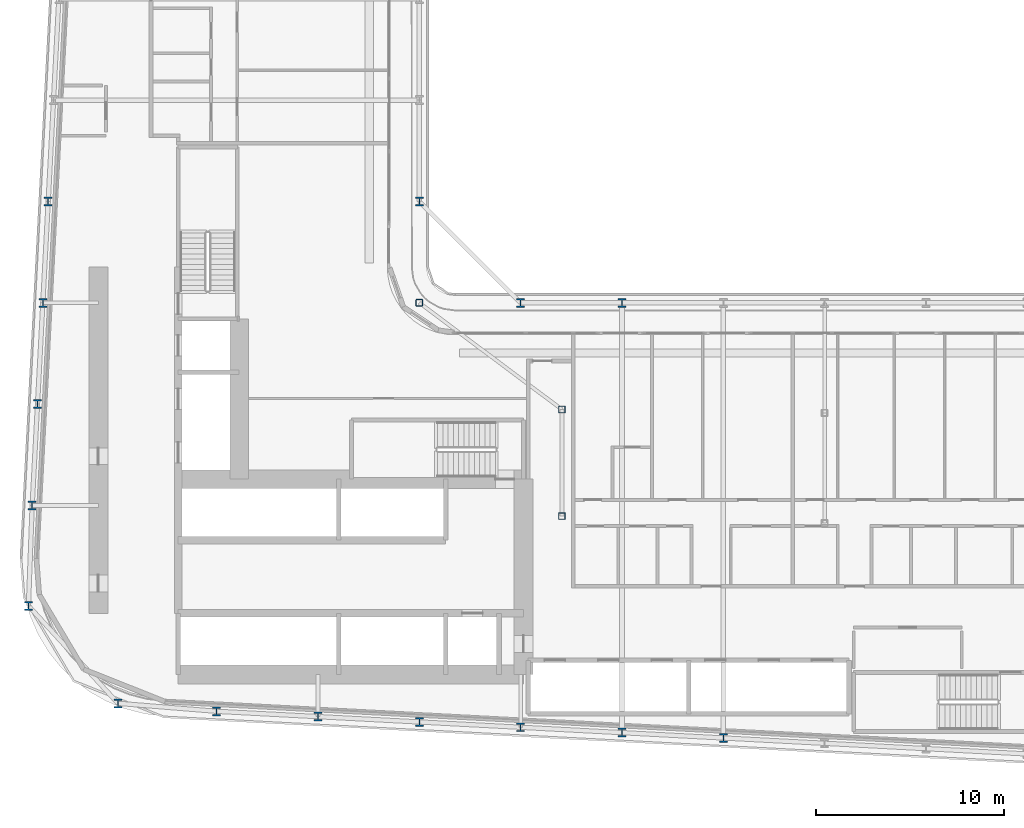
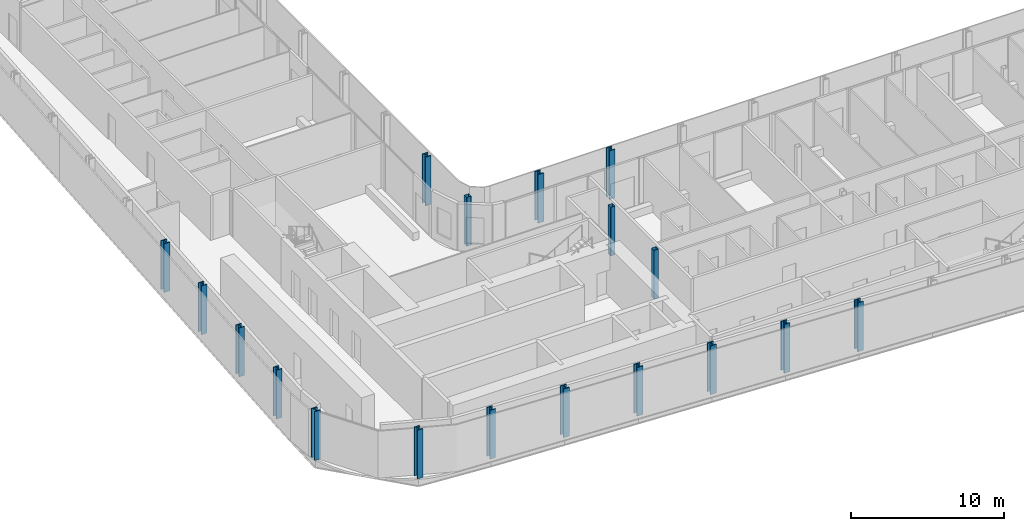
# One storey, part 1 of 28: 18 columns.
"""IFC4 building model written with IfcOpenShell, lengths in metres."""

from ifc_helpers import new_model, si_unit, direction, frame, origin, origin_2d, place, context, subcontext, project, spatial, hollow_rectangle, i_section, extrude, material, material_profile, profile_set, type_object, element, save


model = new_model("IFC4")

# Units and contexts
model_context = context("Model", 3, precision=1e-05, world=origin(), true_north=direction((0.0, 1.0)))
body_context = subcontext(model_context, "Body", "Model", "MODEL_VIEW")
ifc_project = project(units=[si_unit("LENGTHUNIT", "METRE"), si_unit("AREAUNIT", "SQUARE_METRE"), si_unit("VOLUMEUNIT", "CUBIC_METRE"), si_unit("PLANEANGLEUNIT", "RADIAN"), si_unit("MASSUNIT", "GRAM", prefix="KILO")], contexts=[model_context])

# Site, building, storey
site_placement = place(None, origin())
site = spatial("IfcSite", under=ifc_project, at=site_placement, CompositionType="ELEMENT")
building_placement = place(site_placement, origin())
building = spatial("IfcBuilding", under=site, at=building_placement, Name="Kheshtan School and Residences Tower", CompositionType="ELEMENT")
storey_placement = place(building_placement, frame((0.0, 0.0, 73.39990234375)))
storey = spatial("IfcBuildingStorey", under=building, at=storey_placement, Name="L17", CompositionType="ELEMENT", Elevation=73.39990234375)

# Columns
ifc_material_1 = material(Name="Steel ASTM A992 Grade 50", Category="steel")
ifc_material_profile_1 = material_profile(ifc_material_1, i_section(OverallWidth=0.424072265625, OverallDepth=0.47412109375, WebThickness=0.047607421875, FlangeThickness=0.0771484375, FilletRadius=0.01416015625, at=origin_2d()), Name="W360x634")
ifc_profile_set_1 = profile_set([ifc_material_profile_1], Name="Steel ASTM A992 Grade 50")
column_type_1 = type_object("IfcColumnType", Name="Column C1 W360x634 ASTM A992 Grade 50", PredefinedType="COLUMN", material=ifc_profile_set_1)
for number, where, z_axis, x_axis, name in (
    (1, (63.800048828125, 22.410888671875, 0.0), (0.0, 0.0, 1.0), (1.0, 0.0, 0.0), "Column C016"),
    (2, (58.39990234375, 22.695068359375, 0.0), (0.0, 0.0, 1.0), (1.0, 0.0, 0.0), "Column C018"),
    (3, (53.0, 22.97998046875, 0.0), (0.0, 0.0, 1.0), (1.0, 0.0, 0.0), "Column C019"),
    (4, (47.60009765625, 23.263916015625, 0.0), (0.0, 0.0, 1.0), (1.0, 0.0, 0.0), "Column C020"),
    (5, (42.199951171875, 23.548095703125, 0.0), (0.0, 0.0, 1.0), (1.0, 0.0, 0.0), "Column C021"),
    (6, (36.800048828125, 23.83203125, 0.0), (0.0, 0.0, 1.0), (1.0, 0.0, 0.0), "Column C022"),
    (7, (31.5419921875, 24.257080078125, 0.0), (0.0, 0.0, 1.0), (1.0, 0.0, 0.0), "Column C025"),
    (8, (26.76904296875, 29.4541015625, 0.0), (0.0, 0.0, 1.0), (1.0, 0.0, 0.0), "Column C038"),
    (9, (26.968994140625, 34.800048828125, 0.0), (0.0, 0.0, 1.0), (1.0, 0.0, 0.0), "Column C052"),
    (10, (27.2529296875, 40.199951171875, 0.0), (0.0, 0.0, 1.0), (1.0, 0.0, 0.0), "Column C056"),
    (11, (27.537109375, 45.60009765625, 0.0), (0.0, 0.0, 1.0), (1.0, 0.0, 0.0), "Column C059"),
    (12, (53.0, 45.60009765625, 0.0), (0.0, 0.0, 1.0), (1.0, 0.0, 0.0), "Column C061"),
    (13, (58.39990234375, 45.60009765625, 0.0), (0.0, 0.0, 1.0), (1.0, 0.0, 0.0), "Column C062"),
    (14, (27.822021484375, 51.0, 0.0), (0.0, 0.0, 1.0), (1.0, 0.0, 0.0), "Column C078"),
    (15, (47.60009765625, 51.0, 0.0), (0.0, 0.0, 1.0), (1.0, 0.0, 0.0), "Column C079"),
):
    element("IfcColumn", number, at=place(storey_placement, frame(where, z_axis=z_axis, x_axis=x_axis)), inside=storey, type_object=column_type_1, Name=name, PredefinedType="COLUMN", context=body_context, shape_type="SweptSolid", body=[
        extrude(i_section(OverallWidth=0.424072265625, OverallDepth=0.47412109375, WebThickness=0.047607421875, FlangeThickness=0.0771484375, FilletRadius=0.01416015625, at=origin_2d()), origin(), (0.0, 0.0, 1.0), 3.900146484375),
    ])
ifc_material_2 = material(Name="Steel ASTM A500 Grade C", Category="steel")
ifc_material_profile_2 = material_profile(ifc_material_2, hollow_rectangle(XDim=0.35595703125, YDim=0.35595703125, WallThickness=0.015869140625, InnerFilletRadius=0.015869140625, OuterFilletRadius=0.03173828125, at=origin_2d()), Name="HSS 356x356x15.9")
ifc_profile_set_2 = profile_set([ifc_material_profile_2], Name="Steel ASTM A500 Grade C")
column_type_2 = type_object("IfcColumnType", Name="Column IC1 HSS 356x356x15.9 ASTM A500 Grade C", PredefinedType="COLUMN", material=ifc_profile_set_2)
for number, where, z_axis, x_axis, name in (
    (16, (55.199951171875, 34.23193359375, 0.0), (0.0, 0.0, 1.0), (1.0, 0.0, 0.0), "Column C051"),
    (17, (55.199951171875, 39.916015625, 0.0), (0.0, 0.0, 1.0), (1.0, 0.0, 0.0), "Column C055"),
    (18, (47.60009765625, 45.60009765625, 0.0), (0.0, 0.0, 1.0), (1.0, 0.0, 0.0), "Column C060"),
):
    element("IfcColumn", number, at=place(storey_placement, frame(where, z_axis=z_axis, x_axis=x_axis)), inside=storey, type_object=column_type_2, Name=name, PredefinedType="COLUMN", context=body_context, shape_type="SweptSolid", body=[
        extrude(hollow_rectangle(XDim=0.35595703125, YDim=0.35595703125, WallThickness=0.015869140625, InnerFilletRadius=0.015869140625, OuterFilletRadius=0.03173828125, at=origin_2d()), origin(), (0.0, 0.0, 1.0), 3.900146484375),
    ])

save(model, "model.ifc")
